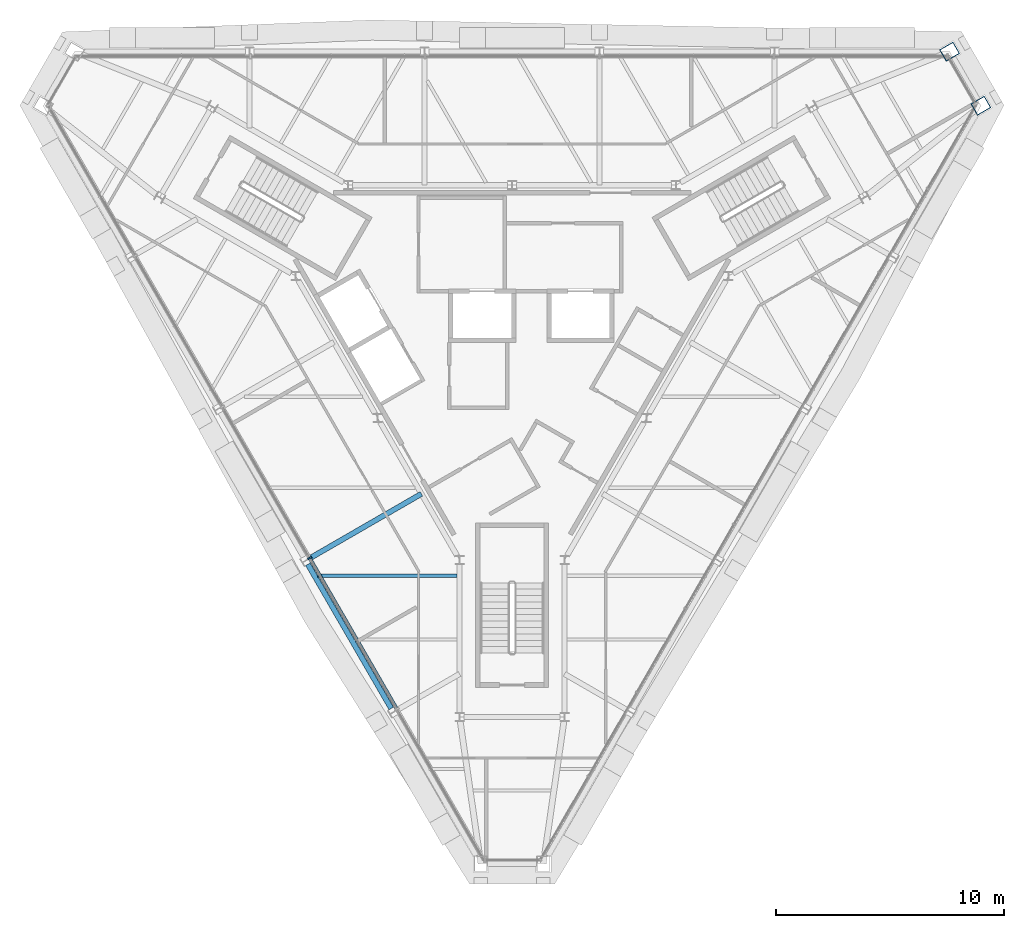
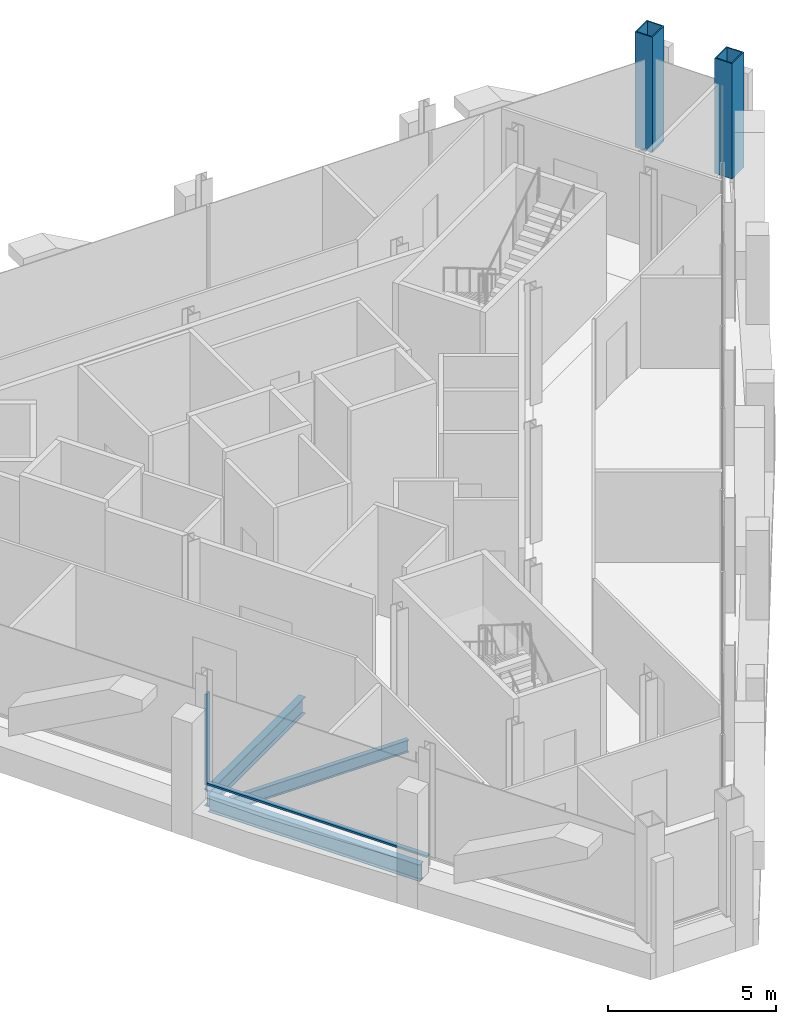
# One storey, part 2 of 13: 3 beams, 2 columns, 2 members, 1 element without a shape of its own.
"""IFC4 building model written with IfcOpenShell, lengths in metres."""

from ifc_helpers import new_model, si_unit, direction, frame, origin, origin_2d, place, context, subcontext, project, spatial, rectangle, hollow_rectangle, i_section, extrude, material, material_profile, profile_set, type_object, element, aggregate, save


model = new_model("IFC4")

# Units and contexts
model_context = context("Model", 3, precision=1e-05, world=origin(), true_north=direction((0.0, 1.0)))
body_context = subcontext(model_context, "Body", "Model", "MODEL_VIEW")
ifc_project = project(units=[si_unit("LENGTHUNIT", "METRE"), si_unit("AREAUNIT", "SQUARE_METRE"), si_unit("VOLUMEUNIT", "CUBIC_METRE"), si_unit("PLANEANGLEUNIT", "RADIAN"), si_unit("MASSUNIT", "GRAM", prefix="KILO")], contexts=[model_context])

# Site, building, storey
site_placement = place(None, origin())
site = spatial("IfcSite", under=ifc_project, at=site_placement, CompositionType="ELEMENT")
building_placement = place(site_placement, origin())
building = spatial("IfcBuilding", under=site, at=building_placement, Name="Verrane Prism Tower", CompositionType="ELEMENT")
storey_placement = place(building_placement, frame((0.0, 0.0, 316.800048828125)))
storey = spatial("IfcBuildingStorey", under=building, at=storey_placement, Name="L80", CompositionType="ELEMENT", Elevation=316.800048828125)

# Columns
ifc_material_1 = material(Name="Steel A572 Grade 50", Category="steel")
ifc_material_profile_1 = material_profile(ifc_material_1, hollow_rectangle(XDim=0.60009765625, YDim=0.699951171875, WallThickness=0.0400390625, at=origin_2d()), Name="BOX 700x600x40")
ifc_profile_set_1 = profile_set([ifc_material_profile_1], Name="Steel A572 Grade 50")
column_type = type_object("IfcColumnType", Name="Megacolumn BOX 700x600x40", PredefinedType="COLUMN", material=ifc_profile_set_1)
for number, where, z_axis, x_axis, name in (
    (1, (19.169921875, 12.64990234375, 0.0), (0.0, 0.0, 1.0), (0.5, -0.866025403784, 0.0), "Megacolumn MC-NE.b L80"),
    (2, (20.5400390625, 10.280029296875, 0.0), (0.0, 0.0, 1.0), (0.5, -0.866025403784, 0.0), "Megacolumn MC-NE.a L80"),
):
    element("IfcColumn", number, at=place(storey_placement, frame(where, z_axis=z_axis, x_axis=x_axis)), inside=storey, type_object=column_type, Name=name, PredefinedType="COLUMN", context=body_context, shape_type="SweptSolid", body=[
        extrude(hollow_rectangle(XDim=0.60009765625, YDim=0.699951171875, WallThickness=0.0400390625, at=origin_2d()), origin(), (0.0, 0.0, 1.0), 4.199951171875),
    ])

# Beam
ifc_material_2 = material(Name="Steel A992", Category="steel")
ifc_material_profile_2 = material_profile(ifc_material_2, i_section(OverallWidth=0.15234375, OverallDepth=0.449462890625, WebThickness=0.007568359375, FlangeThickness=0.0107421875, FilletRadius=0.01025390625, at=origin_2d()), Name="W18x35")
ifc_profile_set_2 = profile_set([ifc_material_profile_2], Name="Steel A992")
beam_type_1 = type_object("IfcBeamType", Name="Floor beam W18x35", PredefinedType="BEAM", material=ifc_profile_set_2)
beam_1_placement = place(storey_placement, frame((-8.526611328125, -10.31005859375, -0.384765625), z_axis=(1.0, 0.0, 0.0), x_axis=(0.0, 1.0, 0.0)))
element("IfcBeam", 3, at=beam_1_placement, inside=storey, type_object=beam_type_1, Name="Floor beam L80", PredefinedType="BEAM", context=body_context, shape_type="SweptSolid", body=[
    extrude(i_section(OverallWidth=0.15234375, OverallDepth=0.449462890625, WebThickness=0.007568359375, FlangeThickness=0.0107421875, FilletRadius=0.01025390625, at=origin_2d()), origin(), (0.0, 0.0, 1.0), 6.112548828125),
])

# Curtain wall, member
ifc_material_3 = material(Name="Aluminium framed insulated glazing", Category="aluminium")
curtain_wall_type = type_object("IfcCurtainWallType", Name="Curtain wall CW-A 8400 module", PredefinedType="NOTDEFINED", material=ifc_material_3)
curtain_wall_placement = place(storey_placement, origin())
curtain_wall = element("IfcCurtainWall", 4, at=curtain_wall_placement, inside=storey, type_object=curtain_wall_type, Name="Glazed curtain wall south-west face L80", PredefinedType="NOTDEFINED")
ifc_material_4 = material(Name="Aluminium alloy 6063-T6", Category="aluminium")
ifc_material_profile_3 = material_profile(ifc_material_4, rectangle(XDim=0.199951171875, YDim=0.070068359375, at=origin_2d()), Name="Mullion 70x200 aluminium")
ifc_profile_set_3 = profile_set([ifc_material_profile_3], Name="Aluminium alloy 6063-T6")
member_type_1 = type_object("IfcMemberType", Name="Mullion 70x200 aluminium", PredefinedType="MULLION", material=ifc_profile_set_3)
member_1_placement = place(storey_placement, frame((-8.8681640625, -9.5341796875, 0.0), z_axis=(0.0, 0.0, 1.0), x_axis=(0.866025278644, 0.500000216749, 0.0)))
member_1 = element("IfcMember", 5, at=member_1_placement, type_object=member_type_1, Name="CW80.4 mullion 4", PredefinedType="MULLION", context=body_context, shape_type="SweptSolid", body=[
    extrude(rectangle(XDim=0.199951171875, YDim=0.070068359375, at=origin_2d()), origin(), (0.0, 0.0, 1.0), 3.296630859375),
])

# Beams
ifc_material_5 = material(Name="Steel A992", Category="steel")
ifc_material_profile_4 = material_profile(ifc_material_5, i_section(OverallWidth=0.228271484375, OverallDepth=0.607177734375, WebThickness=0.01123046875, FlangeThickness=0.017333984375, FilletRadius=0.0126953125, at=origin_2d()), Name="W24x76")
ifc_profile_set_4 = profile_set([ifc_material_profile_4], Name="Steel A992")
beam_type_2 = type_object("IfcBeamType", Name="Radial girder W24x76", PredefinedType="BEAM", material=ifc_profile_set_4)
beam_2_placement = place(storey_placement, frame((-8.880615234375, -9.557861328125, -0.5234375), z_axis=(0.866039985572, 0.499974742752, 0.0), x_axis=(-0.499974742752, 0.866039985572, 0.0)))
element("IfcBeam", 6, at=beam_2_placement, inside=storey, type_object=beam_type_2, Name="Radial girder L80", PredefinedType="BEAM", context=body_context, shape_type="SweptSolid", body=[
    extrude(i_section(OverallWidth=0.228271484375, OverallDepth=0.607177734375, WebThickness=0.01123046875, FlangeThickness=0.017333984375, FilletRadius=0.0126953125, at=origin_2d()), origin(), (0.0, 0.0, 1.0), 5.668212890625),
])
ifc_material_6 = material(Name="Steel A992", Category="steel")
ifc_material_profile_5 = material_profile(ifc_material_6, i_section(OverallWidth=0.228271484375, OverallDepth=0.607177734375, WebThickness=0.01123046875, FlangeThickness=0.017333984375, FilletRadius=0.0126953125, at=origin_2d()), Name="W24x76")
ifc_profile_set_5 = profile_set([ifc_material_profile_5], Name="Steel A992")
beam_type_3 = type_object("IfcBeamType", Name="Spandrel beam W24x76", PredefinedType="SPANDREL", material=ifc_profile_set_5)
beam_3_placement = place(storey_placement, frame((-8.946533203125, -9.8115234375, -0.463623046875), z_axis=(0.50061813753, -0.865668227658, 0.0), x_axis=(0.865668227658, 0.50061813753, 0.0)))
element("IfcBeam", 7, at=beam_3_placement, inside=storey, type_object=beam_type_3, Name="Spandrel beam L80", PredefinedType="SPANDREL", context=body_context, shape_type="SweptSolid", body=[
    extrude(i_section(OverallWidth=0.228271484375, OverallDepth=0.607177734375, WebThickness=0.01123046875, FlangeThickness=0.017333984375, FilletRadius=0.0126953125, at=origin_2d()), origin(), (0.0, 0.0, 1.0), 7.297119140625),
])

# Member
ifc_material_7 = material(Name="Aluminium alloy 6063-T6", Category="aluminium")
ifc_material_profile_6 = material_profile(ifc_material_7, rectangle(XDim=0.14990234375, YDim=0.070068359375, at=origin_2d()), Name="Transom 70x150 aluminium")
ifc_profile_set_6 = profile_set([ifc_material_profile_6], Name="Aluminium alloy 6063-T6")
member_type_2 = type_object("IfcMemberType", Name="Transom 70x150 aluminium", PredefinedType="USERDEFINED", material=ifc_profile_set_6)
member_2_placement = place(storey_placement, frame((-8.8505859375, -9.564453125, 0.034912109375), z_axis=(0.499972595749, -0.866041225058, 0.0), x_axis=(0.866041225058, 0.499972595749, 0.0)))
member_2 = element("IfcMember", 8, at=member_2_placement, type_object=member_type_2, Name="CW80.4 transom 4", ObjectType="TRANSOM", PredefinedType="USERDEFINED", context=body_context, shape_type="SweptSolid", body=[
    extrude(rectangle(XDim=0.14990234375, YDim=0.070068359375, at=origin_2d()), origin(), (0.0, 0.0, 1.0), 7.57568359375),
])

aggregate(curtain_wall, [member_1, member_2])

save(model, "model.ifc")
